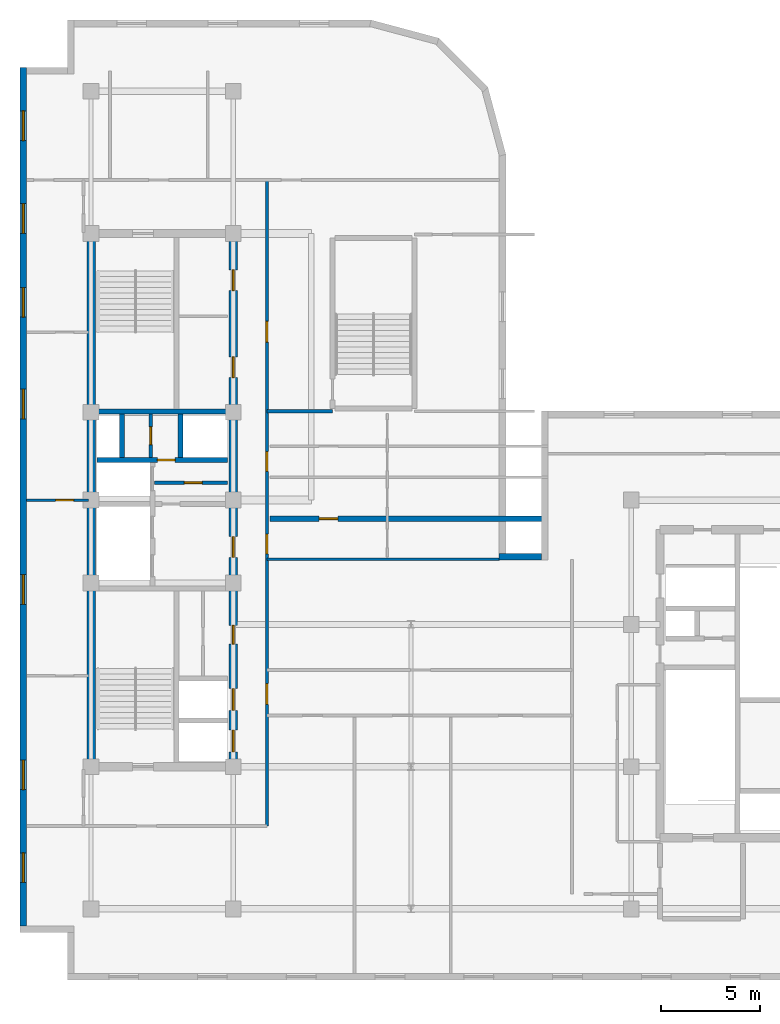
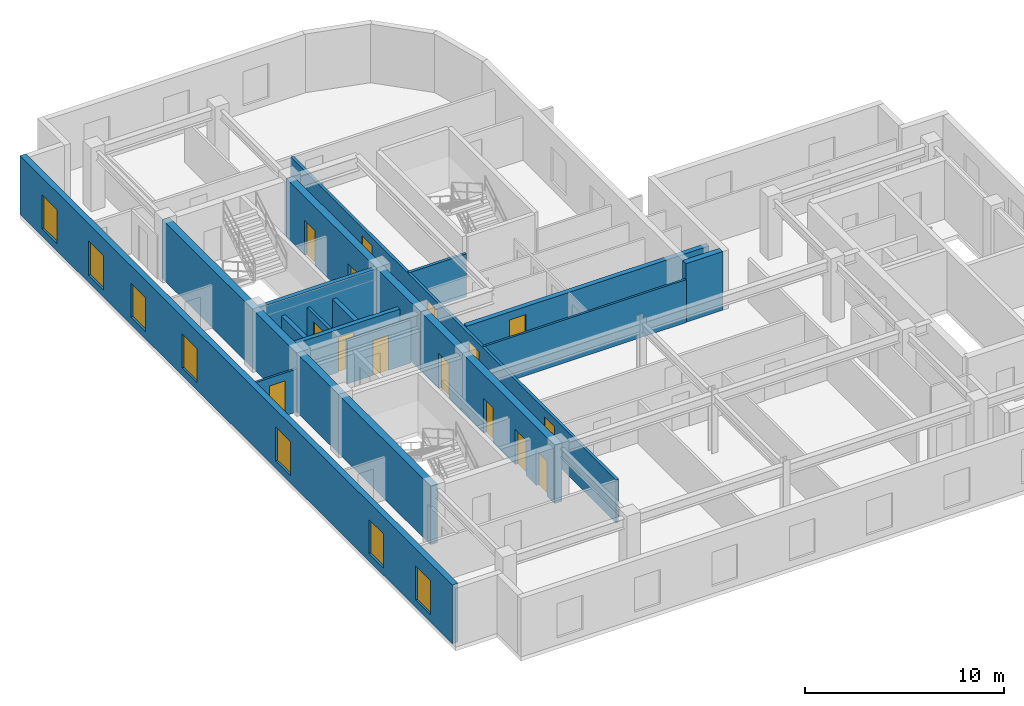
# One storey, part 4 of 10: 16 walls, 15 doors, 7 windows, 22 openings.
"""IFC4 building model written with IfcOpenShell, lengths in metres."""

import ifcopenshell
import ifcopenshell.guid

model = None  # the IFC model being written
_history = None  # IfcOwnerHistory: only IFC2X3 demands one
_inside = {}  # id of a spatial element -> (the spatial element, [elements in it])
_under = {}  # id of a project, library or spatial element -> (it, [spatial elements below it])
_declared = {}  # id of a project -> (the project, [libraries it declares])
_typed = {}  # id of a type object -> (the type object, [elements of that type])
_made_of = {}  # id of a material, layer set ... -> (it, [elements and type objects made of it])


def new_model(schema):
    """Start an empty IFC model of exactly this schema.

    Asked for "IFC4X3", IfcOpenShell would pick the latest addendum, in which some entities
    have other attributes; the version numbers below select the first issue.
    IFC2X3 requires an IfcOwnerHistory on every rooted entity: one is made here for all.
    """
    global model, _history
    if schema == "IFC4X3":
        model = ifcopenshell.file(schema_version=(4, 3, 0, 0))
    else:
        model = ifcopenshell.file(schema=schema)
    _inside.clear()
    _under.clear()
    _declared.clear()
    _typed.clear()
    _made_of.clear()
    _history = None
    if model.schema == "IFC2X3":
        org = make("IfcOrganization", Name="unknown")
        user = make(
            "IfcPersonAndOrganization",
            ThePerson=make("IfcPerson", FamilyName="unknown"),
            TheOrganization=org,
        )
        app = make(
            "IfcApplication",
            ApplicationDeveloper=org,
            Version="unknown",
            ApplicationFullName="unknown",
            ApplicationIdentifier="unknown",
        )
        _history = make(
            "IfcOwnerHistory",
            OwningUser=user,
            OwningApplication=app,
            ChangeAction="ADDED",
            CreationDate=0,
        )
    return model


def make(cls, **values):
    """One entity of the class cls with the attributes given. An attribute that is None is left unset."""
    return model.create_entity(
        cls, **{name: value for name, value in values.items() if value is not None}
    )


def entity(cls, *values):
    """Any entity or typed value of the class cls, its attributes in the order of the schema. None: left unset."""
    e = model.create_entity(cls)
    for i, value in enumerate(values):
        if value is not None:
            e[i] = value
    return e


def rooted(cls, **values):
    """An entity with a GlobalId (a new one), such as an element, a storey or a relation."""
    return make(cls, GlobalId=ifcopenshell.guid.new(), OwnerHistory=_history, **values)


def si_unit(unit_type, name, prefix=None):
    """IfcSIUnit, for example si_unit("LENGTHUNIT", "METRE", prefix="MILLI")."""
    return make("IfcSIUnit", UnitType=unit_type, Prefix=prefix, Name=name)


def converted_unit(unit_type, name, factor, base, dimensions=None, offset=None):
    """IfcConversionBasedUnit, such as the inch: factor (a typed value) times the base unit."""
    return make(
        "IfcConversionBasedUnit"
        if offset is None
        else "IfcConversionBasedUnitWithOffset",
        ConversionOffset=offset,
        Dimensions=None
        if dimensions is None
        else entity("IfcDimensionalExponents", *dimensions),
        UnitType=unit_type,
        Name=name,
        ConversionFactor=make(
            "IfcMeasureWithUnit", ValueComponent=factor, UnitComponent=base
        ),
    )


def assignment(units):
    """IfcUnitAssignment: the units of a project."""
    return None if units is None else make("IfcUnitAssignment", Units=units)


def point(xyz):
    """IfcCartesianPoint."""
    return None if xyz is None else make("IfcCartesianPoint", Coordinates=xyz)


def direction(xyz):
    """IfcDirection."""
    return None if xyz is None else make("IfcDirection", DirectionRatios=xyz)


def frame(location, z_axis=None, x_axis=None):
    """IfcAxis2Placement3D, a coordinate frame: its origin and axes. An axis left out is left unset."""
    return make(
        "IfcAxis2Placement3D",
        Location=point(location),
        Axis=direction(z_axis),
        RefDirection=direction(x_axis),
    )


def frame_2d(location, x_axis=None):
    """IfcAxis2Placement2D, a coordinate frame in the plane: its origin and x axis."""
    return make(
        "IfcAxis2Placement2D", Location=point(location), RefDirection=direction(x_axis)
    )


def origin_with_axes():
    """The frame at (0, 0, 0) with the z axis (0, 0, 1) and the x axis (1, 0, 0) written out."""
    return frame((0.0, 0.0, 0.0), z_axis=(0.0, 0.0, 1.0), x_axis=(1.0, 0.0, 0.0))


def origin_2d_with_axis():
    """The frame at (0, 0) in the plane with the x axis (1, 0) written out."""
    return frame_2d((0.0, 0.0), x_axis=(1.0, 0.0))


def place(relative_to, where):
    """IfcLocalPlacement: puts the frame where relative to a parent placement (None: the world)."""
    return make(
        "IfcLocalPlacement", PlacementRelTo=relative_to, RelativePlacement=where
    )


def context(
    kind, dimensions, precision=None, world=None, true_north=None, identifier=None
):
    """IfcGeometricRepresentationContext, for example the 3D "Model" context."""
    return make(
        "IfcGeometricRepresentationContext",
        ContextIdentifier=identifier,
        ContextType=kind,
        CoordinateSpaceDimension=dimensions,
        Precision=precision,
        WorldCoordinateSystem=world,
        TrueNorth=true_north,
    )


def subcontext(parent, identifier, kind, view, scale=None):
    """IfcGeometricRepresentationSubContext, for example "Body" below "Model"."""
    return make(
        "IfcGeometricRepresentationSubContext",
        ContextIdentifier=identifier,
        ContextType=kind,
        ParentContext=parent,
        TargetScale=scale,
        TargetView=view,
    )


def project(units=None, contexts=None):
    """IfcProject with its units and contexts."""
    return rooted(
        "IfcProject",
        Name="project",
        RepresentationContexts=contexts,
        UnitsInContext=assignment(units),
    )


def spatial(cls, under=None, at=None, **own):
    """A site, building, storey or space (cls), placed at a placement, below another one or the project."""
    s = rooted(cls, ObjectPlacement=at, **own)
    if under is not None:
        _under.setdefault(under.id(), (under, []))[1].append(s)
    return s


def polyline(points):
    """IfcPolyline through the points."""
    return make("IfcPolyline", Points=[point(p) for p in points])


def profile(cls, at=None, kind="AREA", **sizes):
    """A parametric profile (cls). Its sizes go by their IFC names, for example OverallWidth=200.0."""
    return make(cls, ProfileType=kind, Position=at, **sizes)


def rectangle(**sizes):
    """IfcRectangleProfileDef."""
    return profile("IfcRectangleProfileDef", **sizes)


def outline(outer, holes=None, kind="AREA"):
    """IfcArbitraryClosedProfileDef: a profile drawn as a closed curve; with holes, ...WithVoids."""
    if holes is None:
        return make("IfcArbitraryClosedProfileDef", ProfileType=kind, OuterCurve=outer)
    return make(
        "IfcArbitraryProfileDefWithVoids",
        ProfileType=kind,
        OuterCurve=outer,
        InnerCurves=holes,
    )


def extrude(swept, where, along, depth):
    """IfcExtrudedAreaSolid: the profile swept, set in the frame where, extruded along a direction by depth."""
    return make(
        "IfcExtrudedAreaSolid",
        SweptArea=swept,
        Position=where,
        ExtrudedDirection=direction(along),
        Depth=depth,
    )


def shape(context_of_items, identifier, shape_type, items):
    """IfcShapeRepresentation: the items that make up one representation, for example the "Body"."""
    return make(
        "IfcShapeRepresentation",
        ContextOfItems=context_of_items,
        RepresentationIdentifier=identifier,
        RepresentationType=shape_type,
        Items=items,
    )


def material(Name=None, Category=None):
    """IfcMaterial."""
    return make("IfcMaterial", Name=Name, Category=Category)


def layer(
    of_material, thickness, ventilated=None, Name=None, Category=None, Priority=None
):
    """IfcMaterialLayer: one layer of a wall or slab, of a material (None: an air gap)."""
    return make(
        "IfcMaterialLayer",
        Material=of_material,
        LayerThickness=thickness,
        IsVentilated=ventilated,
        Name=Name,
        Category=Category,
        Priority=Priority,
    )


def layer_set(layers, Name=None):
    """IfcMaterialLayerSet."""
    return make("IfcMaterialLayerSet", MaterialLayers=layers, LayerSetName=Name)


def made_of(thing, what):
    """Note that an element or type object is made of a material, layer set ...; save() writes the relation."""
    if what is not None:
        _made_of.setdefault(what.id(), (what, []))[1].append(thing)
    return thing


def type_object(cls, material=None, **own):
    """A type object (cls), such as IfcWallType, which elements share."""
    return made_of(rooted(cls, **own), material)


def element(
    cls,
    number,
    at=None,
    inside=None,
    cuts=None,
    type_object=None,
    material=None,
    context=None,
    identifier="Body",
    shape_type=None,
    held_by="IfcProductDefinitionShape",
    body=None,
    shapes=None,
    **own,
):
    """One element of the class cls, such as IfcWall. Its Tag is "e" and its number.

    at: its placement. inside: the storey or other place that contains it. cuts: it is an
    opening in that element (IfcRelVoidsElement). A single representation is given by context,
    identifier, shape_type and body (its items); several are given by shapes. held_by: the class
    of the entity that holds the representations. save() writes the other relations.
    """
    e = rooted(cls, Tag="e%d" % number, ObjectPlacement=at, **own)
    if body is not None:
        shapes = [shape(context, identifier, shape_type, body)]
    if shapes is not None:
        e.Representation = make(held_by, Representations=shapes)
    if inside is not None:
        _inside.setdefault(inside.id(), (inside, []))[1].append(e)
    if cuts is not None:
        rooted(
            "IfcRelVoidsElement", RelatingBuildingElement=cuts, RelatedOpeningElement=e
        )
    if type_object is not None:
        _typed.setdefault(type_object.id(), (type_object, []))[1].append(e)
    return made_of(e, material)


def fill(opening, filler):
    """IfcRelFillsElement: the door or window that sits in an opening."""
    return rooted(
        "IfcRelFillsElement",
        RelatingOpeningElement=opening,
        RelatedBuildingElement=filler,
    )


def aggregate(whole, parts):
    """IfcRelAggregates: a whole, such as a stair, and the parts it consists of."""
    return rooted("IfcRelAggregates", RelatingObject=whole, RelatedObjects=parts)


def save(model, path):
    """Write the relations noted so far, then the file.

    IfcRelAggregates (storeys below a building ...), IfcRelContainedInSpatialStructure (elements
    in a storey), IfcRelDefinesByType, IfcRelAssociatesMaterial and IfcRelDeclares: one each for
    every whole, place, type object, material and project.
    """
    for whole, parts in _under.values():
        aggregate(whole, parts)
    for where, things in _inside.values():
        rooted(
            "IfcRelContainedInSpatialStructure",
            RelatedElements=things,
            RelatingStructure=where,
        )
    for kind, things in _typed.values():
        rooted("IfcRelDefinesByType", RelatedObjects=things, RelatingType=kind)
    for what, things in _made_of.values():
        rooted("IfcRelAssociatesMaterial", RelatedObjects=things, RelatingMaterial=what)
    for by, libraries in _declared.values():
        rooted("IfcRelDeclares", RelatingContext=by, RelatedDefinitions=libraries)
    model.write(path)


model = new_model("IFC4")

# Units and contexts
model_context = context("Model", 3, precision=1e-05, world=origin_with_axes(), true_north=direction((0.0, 1.0)))
body_context = subcontext(model_context, "Body", "Model", "MODEL_VIEW")
ifc_project = project(units=[si_unit("LENGTHUNIT", "METRE"), si_unit("AREAUNIT", "SQUARE_METRE"), si_unit("VOLUMEUNIT", "CUBIC_METRE"), converted_unit("PLANEANGLEUNIT", "DEGREE", entity("IfcPlaneAngleMeasure", 0.017453292519943295), si_unit("PLANEANGLEUNIT", "RADIAN"), dimensions=[0, 0, 0, 0, 0, 0, 0]), si_unit("MASSUNIT", "GRAM", prefix="KILO"), si_unit("THERMODYNAMICTEMPERATUREUNIT", "KELVIN")], contexts=[model_context])

# Site, building, storey
site_placement = place(None, origin_with_axes())
site = spatial("IfcSite", under=ifc_project, at=site_placement, CompositionType="ELEMENT")
building_placement = place(site_placement, origin_with_axes())
building = spatial("IfcBuilding", under=site, at=building_placement, Name="Varnlund Millrace Tower", CompositionType="ELEMENT")
storey_placement = place(building_placement, frame((0.0, 0.0, 284.1), z_axis=(0.0, 0.0, 1.0), x_axis=(1.0, 0.0, 0.0)))
storey = spatial("IfcBuildingStorey", under=building, at=storey_placement, Name="L70", CompositionType="ELEMENT", Elevation=284.1)

# Wall
ifc_material_1 = material(Name="Concrete C60/75", Category="concrete")
ifc_layer_1 = layer(ifc_material_1, 0.42, Name="Concrete C60/75")
ifc_layer_set_1 = layer_set([ifc_layer_1], Name="Concrete C60/75")
wall_type_1 = type_object("IfcWallType", Name="Type-CoreWall-Shear-420-C60", PredefinedType="SHEAR", material=ifc_layer_set_1)
wall_1_placement = place(storey_placement, frame((11.4, 10.8, 0.0), z_axis=(0.0, 0.0, 1.0), x_axis=(0.0, 1.0, 0.0)))
element("IfcWall", 1, at=wall_1_placement, inside=storey, type_object=wall_type_1, Name="Type-CoreWall-Shear-420-C60", PredefinedType="SHEAR", context=body_context, shape_type="SweptSolid", body=[
    extrude(outline(polyline([(0.0, -0.21), (27.0, -0.21), (27.0, 0.21), (0.0, 0.21), (0.0, -0.21)])), origin_with_axes(), (0.0, 0.0, 1.0), 3.6),
])

# Wall, openings, doors
wall_2_placement = place(storey_placement, frame((18.6, 10.8, 0.0), z_axis=(0.0, 0.0, 1.0), x_axis=(0.0, 1.0, 0.0)))
wall_2 = element("IfcWall", 2, at=wall_2_placement, inside=storey, type_object=wall_type_1, Name="Type-CoreWall-Shear-420-C60", PredefinedType="SHEAR", context=body_context, shape_type="SweptSolid", body=[
    extrude(outline(polyline([(0.0, -0.21), (13.5, -0.21), (13.5, 0.21), (0.0, 0.21), (0.0, -0.21)])), origin_with_axes(), (0.0, 0.0, 1.0), 3.6),
])
opening_1_placement = place(wall_2_placement, frame((1.3, 0.0, 0.0), z_axis=(0.0, 0.0, 1.0), x_axis=(1.0, 0.0, 0.0)))
opening_1 = element("IfcOpeningElement", 3, at=opening_1_placement, cuts=wall_2, Name="Opening L70:LD-ELV-H1", PredefinedType="OPENING", context=body_context, shape_type="SweptSolid", body=[
    extrude(rectangle(XDim=1.1, YDim=0.44, at=origin_2d_with_axis()), origin_with_axes(), (0.0, 0.0, 1.0), 2.15),
])
opening_2_placement = place(wall_2_placement, frame((3.4, 0.0, 0.0), z_axis=(0.0, 0.0, 1.0), x_axis=(1.0, 0.0, 0.0)))
opening_2 = element("IfcOpeningElement", 4, at=opening_2_placement, cuts=wall_2, Name="Opening L70:LD-ELV-H2", PredefinedType="OPENING", context=body_context, shape_type="SweptSolid", body=[
    extrude(rectangle(XDim=1.1, YDim=0.44, at=origin_2d_with_axis()), origin_with_axes(), (0.0, 0.0, 1.0), 2.15),
])
opening_3_placement = place(wall_2_placement, frame((11.125, 0.0, 0.0), z_axis=(0.0, 0.0, 1.0), x_axis=(1.0, 0.0, 0.0)))
opening_3 = element("IfcOpeningElement", 5, at=opening_3_placement, cuts=wall_2, Name="Opening L70:DR-FFLOB-A", PredefinedType="OPENING", context=body_context, shape_type="SweptSolid", body=[
    extrude(rectangle(XDim=1.05, YDim=0.44, at=origin_2d_with_axis()), origin_with_axes(), (0.0, 0.0, 1.0), 2.15),
])
opening_4_placement = place(wall_2_placement, frame((6.675, 0.0, 0.0), z_axis=(0.0, 0.0, 1.0), x_axis=(1.0, 0.0, 0.0)))
opening_4 = element("IfcOpeningElement", 6, at=opening_4_placement, cuts=wall_2, Name="Opening L70:DR-RECL-S1B2", PredefinedType="OPENING", context=body_context, shape_type="SweptSolid", body=[
    extrude(rectangle(XDim=0.95, YDim=0.44, at=origin_2d_with_axis()), origin_with_axes(), (0.0, 0.0, 1.0), 2.15),
])
ifc_material_2 = material(Name="Smoke-barrier hollow steel fire door", Category="steel")
door_type_1 = type_object("IfcDoorType", Name="Type-FireDoor-Lobby-1050X2150", OperationType="NOTDEFINED", PredefinedType="DOOR", material=ifc_material_2)
door_1_placement = place(wall_2_placement, frame((11.125, 0.0, 0.0), z_axis=(0.0, 0.0, 1.0), x_axis=(1.0, 0.0, 0.0)))
door_1 = element("IfcDoor", 7, at=door_1_placement, inside=storey, type_object=door_type_1, Name="Type-FireDoor-Lobby-1050X2150", OperationType="SINGLE_SWING_LEFT", OverallHeight=2.15, OverallWidth=1.05, PredefinedType="DOOR", context=body_context, shape_type="SweptSolid", body=[
    extrude(rectangle(XDim=1.05, YDim=0.09, at=origin_2d_with_axis()), origin_with_axes(), (0.0, 0.0, 1.0), 2.15),
])
fill(opening_3, door_1)
ifc_material_3 = material(Name="Fire-rated hollow steel core service door", Category="steel")
door_type_2 = type_object("IfcDoorType", Name="Type-FireDoor-Service-950X2150", OperationType="NOTDEFINED", PredefinedType="DOOR", material=ifc_material_3)
door_2_placement = place(wall_2_placement, frame((6.675, 0.0, 0.0), z_axis=(0.0, 0.0, 1.0), x_axis=(1.0, 0.0, 0.0)))
door_2 = element("IfcDoor", 8, at=door_2_placement, inside=storey, type_object=door_type_2, Name="Type-FireDoor-Service-950X2150", OperationType="SINGLE_SWING_RIGHT", OverallHeight=2.15, OverallWidth=0.95, PredefinedType="DOOR", context=body_context, shape_type="SweptSolid", body=[
    extrude(rectangle(XDim=0.95, YDim=0.09, at=origin_2d_with_axis()), origin_with_axes(), (0.0, 0.0, 1.0), 2.15),
])
fill(opening_4, door_2)
ifc_material_4 = material(Name="Stainless and architectural bronze sliding landing door")
door_type_3 = type_object("IfcDoorType", Name="Type-LiftLandingDoor-1100X2150", OperationType="NOTDEFINED", PredefinedType="DOOR", material=ifc_material_4)
door_3_placement = place(wall_2_placement, frame((1.3, 0.0, 0.0), z_axis=(0.0, 0.0, 1.0), x_axis=(1.0, 0.0, 0.0)))
door_3 = element("IfcDoor", 9, at=door_3_placement, inside=storey, type_object=door_type_3, Name="Type-LiftLandingDoor-1100X2150", OperationType="SLIDING_TO_LEFT", OverallHeight=2.15, OverallWidth=1.1, PredefinedType="DOOR", context=body_context, shape_type="SweptSolid", body=[
    extrude(rectangle(XDim=1.1, YDim=0.09, at=origin_2d_with_axis()), origin_with_axes(), (0.0, 0.0, 1.0), 2.15),
])
fill(opening_1, door_3)
door_4_placement = place(wall_2_placement, frame((3.4, 0.0, 0.0), z_axis=(0.0, 0.0, 1.0), x_axis=(1.0, 0.0, 0.0)))
door_4 = element("IfcDoor", 10, at=door_4_placement, inside=storey, type_object=door_type_3, Name="Type-LiftLandingDoor-1100X2150", OperationType="SLIDING_TO_RIGHT", OverallHeight=2.15, OverallWidth=1.1, PredefinedType="DOOR", context=body_context, shape_type="SweptSolid", body=[
    extrude(rectangle(XDim=1.1, YDim=0.09, at=origin_2d_with_axis()), origin_with_axes(), (0.0, 0.0, 1.0), 2.15),
])
fill(opening_2, door_4)

wall_3_placement = place(storey_placement, frame((18.6, 24.3, 0.0), z_axis=(0.0, 0.0, 1.0), x_axis=(0.0, 1.0, 0.0)))
wall_3 = element("IfcWall", 11, at=wall_3_placement, inside=storey, type_object=wall_type_1, Name="Type-CoreWall-Shear-420-C60", PredefinedType="SHEAR", context=body_context, shape_type="SweptSolid", body=[
    extrude(outline(polyline([(0.0, -0.21), (13.5, -0.21), (13.5, 0.21), (0.0, 0.21), (0.0, -0.21)])), origin_with_axes(), (0.0, 0.0, 1.0), 3.6),
])
opening_5_placement = place(wall_3_placement, frame((6.725, 0.0, 0.0), z_axis=(0.0, 0.0, 1.0), x_axis=(1.0, 0.0, 0.0)))
opening_5 = element("IfcOpeningElement", 12, at=opening_5_placement, cuts=wall_3, Name="Opening L70:DR-RECL-M1", PredefinedType="OPENING", context=body_context, shape_type="SweptSolid", body=[
    extrude(rectangle(XDim=1.05, YDim=0.44, at=origin_2d_with_axis()), origin_with_axes(), (0.0, 0.0, 1.0), 2.15),
])
opening_6_placement = place(wall_3_placement, frame((11.125, 0.0, 0.0), z_axis=(0.0, 0.0, 1.0), x_axis=(1.0, 0.0, 0.0)))
opening_6 = element("IfcOpeningElement", 13, at=opening_6_placement, cuts=wall_3, Name="Opening L70:DR-RECL-M2", PredefinedType="OPENING", context=body_context, shape_type="SweptSolid", body=[
    extrude(rectangle(XDim=1.05, YDim=0.44, at=origin_2d_with_axis()), origin_with_axes(), (0.0, 0.0, 1.0), 2.15),
])
door_5_placement = place(wall_3_placement, frame((6.725, 0.0, 0.0), z_axis=(0.0, 0.0, 1.0), x_axis=(1.0, 0.0, 0.0)))
door_5 = element("IfcDoor", 14, at=door_5_placement, inside=storey, type_object=door_type_1, Name="Type-FireDoor-Lobby-1050X2150", OperationType="SINGLE_SWING_LEFT", OverallHeight=2.15, OverallWidth=1.05, PredefinedType="DOOR", context=body_context, shape_type="SweptSolid", body=[
    extrude(rectangle(XDim=1.05, YDim=0.09, at=origin_2d_with_axis()), origin_with_axes(), (0.0, 0.0, 1.0), 2.15),
])
fill(opening_5, door_5)
door_6_placement = place(wall_3_placement, frame((11.125, 0.0, 0.0), z_axis=(0.0, 0.0, 1.0), x_axis=(1.0, 0.0, 0.0)))
door_6 = element("IfcDoor", 15, at=door_6_placement, inside=storey, type_object=door_type_1, Name="Type-FireDoor-Lobby-1050X2150", OperationType="SINGLE_SWING_RIGHT", OverallHeight=2.15, OverallWidth=1.05, PredefinedType="DOOR", context=body_context, shape_type="SweptSolid", body=[
    extrude(rectangle(XDim=1.05, YDim=0.09, at=origin_2d_with_axis()), origin_with_axes(), (0.0, 0.0, 1.0), 2.15),
])
fill(opening_6, door_6)

# Wall, openings, windows
ifc_material_5 = material(Name="Precast concrete C50/60", Category="concrete")
ifc_layer_2 = layer(ifc_material_5, 0.34, Name="Precast concrete C50/60")
ifc_layer_set_2 = layer_set([ifc_layer_2], Name="Precast concrete C50/60")
wall_type_2 = type_object("IfcWallType", Name="Type-ExtWall-Precast-Upper-340", PredefinedType="SOLIDWALL", material=ifc_layer_set_2)
wall_4_placement = place(storey_placement, frame((7.97, 2.74, 0.0), z_axis=(0.0, 0.0, 1.0), x_axis=(0.0, 1.0, 0.0)))
wall_4 = element("IfcWall", 16, at=wall_4_placement, inside=storey, type_object=wall_type_2, Name="Type-ExtWall-Precast-Upper-340", PredefinedType="SOLIDWALL", context=body_context, shape_type="SweptSolid", body=[
    extrude(outline(polyline([(0.0, -0.17), (43.46, -0.17), (43.46, 0.17), (0.0, 0.17), (0.0, -0.17)])), origin_with_axes(), (0.0, 0.0, 1.0), 3.6),
])
opening_7_placement = place(wall_4_placement, frame((2.948, 0.0, 0.45), z_axis=(0.0, 0.0, 1.0), x_axis=(1.0, 0.0, 0.0)))
opening_7 = element("IfcOpeningElement", 17, at=opening_7_placement, cuts=wall_4, Name="Opening L70:WN-16", PredefinedType="OPENING", context=body_context, shape_type="SweptSolid", body=[
    extrude(rectangle(XDim=1.5, YDim=0.36, at=origin_2d_with_axis()), origin_with_axes(), (0.0, 0.0, 1.0), 2.1),
])
opening_8_placement = place(wall_4_placement, frame((7.643, 0.0, 0.45), z_axis=(0.0, 0.0, 1.0), x_axis=(1.0, 0.0, 0.0)))
opening_8 = element("IfcOpeningElement", 18, at=opening_8_placement, cuts=wall_4, Name="Opening L70:WN-17", PredefinedType="OPENING", context=body_context, shape_type="SweptSolid", body=[
    extrude(rectangle(XDim=1.5, YDim=0.36, at=origin_2d_with_axis()), origin_with_axes(), (0.0, 0.0, 1.0), 2.1),
])
opening_9_placement = place(wall_4_placement, frame((17.034, 0.0, 0.45), z_axis=(0.0, 0.0, 1.0), x_axis=(1.0, 0.0, 0.0)))
opening_9 = element("IfcOpeningElement", 19, at=opening_9_placement, cuts=wall_4, Name="Opening L70:WN-18", PredefinedType="OPENING", context=body_context, shape_type="SweptSolid", body=[
    extrude(rectangle(XDim=1.5, YDim=0.36, at=origin_2d_with_axis()), origin_with_axes(), (0.0, 0.0, 1.0), 2.1),
])
opening_10_placement = place(wall_4_placement, frame((26.426, 0.0, 0.45), z_axis=(0.0, 0.0, 1.0), x_axis=(1.0, 0.0, 0.0)))
opening_10 = element("IfcOpeningElement", 20, at=opening_10_placement, cuts=wall_4, Name="Opening L70:WN-19", PredefinedType="OPENING", context=body_context, shape_type="SweptSolid", body=[
    extrude(rectangle(XDim=1.5, YDim=0.36, at=origin_2d_with_axis()), origin_with_axes(), (0.0, 0.0, 1.0), 2.1),
])
opening_11_placement = place(wall_4_placement, frame((31.571, 0.0, 0.45), z_axis=(0.0, 0.0, 1.0), x_axis=(1.0, 0.0, 0.0)))
opening_11 = element("IfcOpeningElement", 21, at=opening_11_placement, cuts=wall_4, Name="Opening L70:WN-20", PredefinedType="OPENING", context=body_context, shape_type="SweptSolid", body=[
    extrude(rectangle(XDim=1.5, YDim=0.36, at=origin_2d_with_axis()), origin_with_axes(), (0.0, 0.0, 1.0), 2.1),
])
opening_12_placement = place(wall_4_placement, frame((35.817, 0.0, 0.45), z_axis=(0.0, 0.0, 1.0), x_axis=(1.0, 0.0, 0.0)))
opening_12 = element("IfcOpeningElement", 22, at=opening_12_placement, cuts=wall_4, Name="Opening L70:WN-21", PredefinedType="OPENING", context=body_context, shape_type="SweptSolid", body=[
    extrude(rectangle(XDim=1.5, YDim=0.36, at=origin_2d_with_axis()), origin_with_axes(), (0.0, 0.0, 1.0), 2.1),
])
opening_13_placement = place(wall_4_placement, frame((40.512, 0.0, 0.45), z_axis=(0.0, 0.0, 1.0), x_axis=(1.0, 0.0, 0.0)))
opening_13 = element("IfcOpeningElement", 23, at=opening_13_placement, cuts=wall_4, Name="Opening L70:WN-22", PredefinedType="OPENING", context=body_context, shape_type="SweptSolid", body=[
    extrude(rectangle(XDim=1.5, YDim=0.36, at=origin_2d_with_axis()), origin_with_axes(), (0.0, 0.0, 1.0), 2.1),
])
ifc_material_6 = material(Name="Argon low-e triple glazing in thermally broken bronze frame", Category="glass")
window_type = type_object("IfcWindowType", Name="Type-Window-Punched-1500X2100", PartitioningType="SINGLE_PANEL", PredefinedType="WINDOW", material=ifc_material_6)
window_1_placement = place(wall_4_placement, frame((2.948, 0.0, 0.45), z_axis=(0.0, 0.0, 1.0), x_axis=(1.0, 0.0, 0.0)))
window_1 = element("IfcWindow", 24, at=window_1_placement, inside=storey, type_object=window_type, Name="Type-Window-Punched-1500X2100", OverallHeight=2.1, OverallWidth=1.5, PredefinedType="WINDOW", context=body_context, shape_type="SweptSolid", body=[
    extrude(rectangle(XDim=1.5, YDim=0.09, at=origin_2d_with_axis()), origin_with_axes(), (0.0, 0.0, 1.0), 2.1),
])
fill(opening_7, window_1)
window_2_placement = place(wall_4_placement, frame((7.643, 0.0, 0.45), z_axis=(0.0, 0.0, 1.0), x_axis=(1.0, 0.0, 0.0)))
window_2 = element("IfcWindow", 25, at=window_2_placement, inside=storey, type_object=window_type, Name="Type-Window-Punched-1500X2100", OverallHeight=2.1, OverallWidth=1.5, PredefinedType="WINDOW", context=body_context, shape_type="SweptSolid", body=[
    extrude(rectangle(XDim=1.5, YDim=0.09, at=origin_2d_with_axis()), origin_with_axes(), (0.0, 0.0, 1.0), 2.1),
])
fill(opening_8, window_2)
window_3_placement = place(wall_4_placement, frame((17.034, 0.0, 0.45), z_axis=(0.0, 0.0, 1.0), x_axis=(1.0, 0.0, 0.0)))
window_3 = element("IfcWindow", 26, at=window_3_placement, inside=storey, type_object=window_type, Name="Type-Window-Punched-1500X2100", OverallHeight=2.1, OverallWidth=1.5, PredefinedType="WINDOW", context=body_context, shape_type="SweptSolid", body=[
    extrude(rectangle(XDim=1.5, YDim=0.09, at=origin_2d_with_axis()), origin_with_axes(), (0.0, 0.0, 1.0), 2.1),
])
fill(opening_9, window_3)
window_4_placement = place(wall_4_placement, frame((26.426, 0.0, 0.45), z_axis=(0.0, 0.0, 1.0), x_axis=(1.0, 0.0, 0.0)))
window_4 = element("IfcWindow", 27, at=window_4_placement, inside=storey, type_object=window_type, Name="Type-Window-Punched-1500X2100", OverallHeight=2.1, OverallWidth=1.5, PredefinedType="WINDOW", context=body_context, shape_type="SweptSolid", body=[
    extrude(rectangle(XDim=1.5, YDim=0.09, at=origin_2d_with_axis()), origin_with_axes(), (0.0, 0.0, 1.0), 2.1),
])
fill(opening_10, window_4)
window_5_placement = place(wall_4_placement, frame((31.571, 0.0, 0.45), z_axis=(0.0, 0.0, 1.0), x_axis=(1.0, 0.0, 0.0)))
window_5 = element("IfcWindow", 28, at=window_5_placement, inside=storey, type_object=window_type, Name="Type-Window-Punched-1500X2100", OverallHeight=2.1, OverallWidth=1.5, PredefinedType="WINDOW", context=body_context, shape_type="SweptSolid", body=[
    extrude(rectangle(XDim=1.5, YDim=0.09, at=origin_2d_with_axis()), origin_with_axes(), (0.0, 0.0, 1.0), 2.1),
])
fill(opening_11, window_5)
window_6_placement = place(wall_4_placement, frame((35.817, 0.0, 0.45), z_axis=(0.0, 0.0, 1.0), x_axis=(1.0, 0.0, 0.0)))
window_6 = element("IfcWindow", 29, at=window_6_placement, inside=storey, type_object=window_type, Name="Type-Window-Punched-1500X2100", OverallHeight=2.1, OverallWidth=1.5, PredefinedType="WINDOW", context=body_context, shape_type="SweptSolid", body=[
    extrude(rectangle(XDim=1.5, YDim=0.09, at=origin_2d_with_axis()), origin_with_axes(), (0.0, 0.0, 1.0), 2.1),
])
fill(opening_12, window_6)
window_7_placement = place(wall_4_placement, frame((40.512, 0.0, 0.45), z_axis=(0.0, 0.0, 1.0), x_axis=(1.0, 0.0, 0.0)))
window_7 = element("IfcWindow", 30, at=window_7_placement, inside=storey, type_object=window_type, Name="Type-Window-Punched-1500X2100", OverallHeight=2.1, OverallWidth=1.5, PredefinedType="WINDOW", context=body_context, shape_type="SweptSolid", body=[
    extrude(rectangle(XDim=1.5, YDim=0.09, at=origin_2d_with_axis()), origin_with_axes(), (0.0, 0.0, 1.0), 2.1),
])
fill(opening_13, window_7)

# Wall
wall_5_placement = place(storey_placement, frame((32.06, 21.43, 0.0), z_axis=(0.0, 0.0, 1.0), x_axis=(1.0, 0.0, 0.0)))
element("IfcWall", 31, at=wall_5_placement, inside=storey, type_object=wall_type_2, Name="Type-ExtWall-Precast-Upper-340", PredefinedType="SOLIDWALL", context=body_context, shape_type="SweptSolid", body=[
    extrude(outline(polyline([(0.0, -0.17), (2.14, -0.17), (2.14, 0.17), (0.0, 0.17), (0.0, -0.17)])), origin_with_axes(), (0.0, 0.0, 1.0), 3.6),
])

# Wall, opening, door
ifc_material_7 = material(Name="Double-stud STC-60 conference acoustic partition", Category="gypsum")
ifc_layer_3 = layer(ifc_material_7, 0.28, Name="Double-stud STC-60 conference acoustic partition")
ifc_layer_set_3 = layer_set([ifc_layer_3], Name="Double-stud STC-60 conference acoustic partition")
wall_type_3 = type_object("IfcWallType", Name="Type-Partition-Acoustic-280", PredefinedType="PARTITIONING", material=ifc_layer_set_3)
wall_6_placement = place(storey_placement, frame((20.45, 23.355, 0.0), z_axis=(0.0, 0.0, 1.0), x_axis=(1.0, 0.0, 0.0)))
wall_6 = element("IfcWall", 32, at=wall_6_placement, inside=storey, type_object=wall_type_3, Name="Type-Partition-Acoustic-280", PredefinedType="PARTITIONING", context=body_context, shape_type="SweptSolid", body=[
    extrude(outline(polyline([(0.0, -0.14), (14.085, -0.14), (14.085, 0.14), (0.0, 0.14), (0.0, -0.14)])), origin_with_axes(), (0.0, 0.0, 1.0), 2.64),
])
opening_14_placement = place(wall_6_placement, frame((2.975, 0.0, 0.0), z_axis=(0.0, 0.0, 1.0), x_axis=(1.0, 0.0, 0.0)))
opening_14 = element("IfcOpeningElement", 33, at=opening_14_placement, cuts=wall_6, Name="Opening L70:DR-FLR-02", PredefinedType="OPENING", context=body_context, shape_type="SweptSolid", body=[
    extrude(rectangle(XDim=0.95, YDim=0.3, at=origin_2d_with_axis()), origin_with_axes(), (0.0, 0.0, 1.0), 2.15),
])
ifc_material_8 = material(Name="Solid-core acoustic office door")
door_type_4 = type_object("IfcDoorType", Name="Type-IntDoor-Tenant-950X2150", OperationType="NOTDEFINED", PredefinedType="DOOR", material=ifc_material_8)
door_7_placement = place(wall_6_placement, frame((2.975, 0.0, 0.0), z_axis=(0.0, 0.0, 1.0), x_axis=(1.0, 0.0, 0.0)))
door_7 = element("IfcDoor", 34, at=door_7_placement, inside=storey, type_object=door_type_4, Name="Type-IntDoor-Tenant-950X2150", OperationType="SINGLE_SWING_LEFT", OverallHeight=2.15, OverallWidth=0.95, PredefinedType="DOOR", context=body_context, shape_type="SweptSolid", body=[
    extrude(rectangle(XDim=0.95, YDim=0.09, at=origin_2d_with_axis()), origin_with_axes(), (0.0, 0.0, 1.0), 2.15),
])
fill(opening_14, door_7)

ifc_material_9 = material(Name="Fire-rated gypsum board on cold-formed steel framing", Category="steel")
ifc_layer_4 = layer(ifc_material_9, 0.16, Name="Fire-rated gypsum board on cold-formed steel framing")
ifc_layer_set_4 = layer_set([ifc_layer_4], Name="Fire-rated gypsum board on cold-formed steel framing")
wall_type_4 = type_object("IfcWallType", Name="Type-Partition-Corridor-160", PredefinedType="PARTITIONING", material=ifc_layer_set_4)
wall_7_placement = place(storey_placement, frame((14.62, 25.18, 0.0), z_axis=(0.0, 0.0, 1.0), x_axis=(1.0, 0.0, 0.0)))
wall_7 = element("IfcWall", 35, at=wall_7_placement, inside=storey, type_object=wall_type_4, Name="Type-Partition-Corridor-160", PredefinedType="PARTITIONING", context=body_context, shape_type="SweptSolid", body=[
    extrude(outline(polyline([(0.0, -0.08), (3.68, -0.08), (3.68, 0.08), (0.0, 0.08), (0.0, -0.08)])), origin_with_axes(), (0.0, 0.0, 1.0), 2.64),
])
opening_15_placement = place(wall_7_placement, frame((1.95, 0.0, 0.0), z_axis=(0.0, 0.0, 1.0), x_axis=(1.0, 0.0, 0.0)))
opening_15 = element("IfcOpeningElement", 36, at=opening_15_placement, cuts=wall_7, Name="Opening L70:DR-CA-SUB2", PredefinedType="OPENING", context=body_context, shape_type="SweptSolid", body=[
    extrude(rectangle(XDim=0.9, YDim=0.18, at=origin_2d_with_axis()), origin_with_axes(), (0.0, 0.0, 1.0), 2.15),
])
ifc_material_10 = material(Name="Painted steel riser and closet door", Category="steel")
door_type_5 = type_object("IfcDoorType", Name="Type-IntDoor-Closet-900X2150", OperationType="NOTDEFINED", PredefinedType="DOOR", material=ifc_material_10)
door_8_placement = place(wall_7_placement, frame((1.95, 0.0, 0.0), z_axis=(0.0, 0.0, 1.0), x_axis=(1.0, 0.0, 0.0)))
door_8 = element("IfcDoor", 37, at=door_8_placement, inside=storey, type_object=door_type_5, Name="Type-IntDoor-Closet-900X2150", OperationType="SINGLE_SWING_LEFT", OverallHeight=2.15, OverallWidth=0.9, PredefinedType="DOOR", context=body_context, shape_type="SweptSolid", body=[
    extrude(rectangle(XDim=0.9, YDim=0.09, at=origin_2d_with_axis()), origin_with_axes(), (0.0, 0.0, 1.0), 2.15),
])
fill(opening_15, door_8)

wall_8_placement = place(storey_placement, frame((14.42, 26.45, 0.0), z_axis=(0.0, 0.0, 1.0), x_axis=(0.0, 1.0, 0.0)))
wall_8 = element("IfcWall", 38, at=wall_8_placement, inside=storey, type_object=wall_type_4, Name="Type-Partition-Corridor-160", PredefinedType="PARTITIONING", context=body_context, shape_type="SweptSolid", body=[
    extrude(outline(polyline([(0.0, -0.08), (2.2, -0.08), (2.2, 0.08), (0.0, 0.08), (0.0, -0.08)])), origin_with_axes(), (0.0, 0.0, 1.0), 2.64),
])
opening_16_placement = place(wall_8_placement, frame((1.1, 0.0, 0.0), z_axis=(0.0, 0.0, 1.0), x_axis=(1.0, 0.0, 0.0)))
opening_16 = element("IfcOpeningElement", 39, at=opening_16_placement, cuts=wall_8, Name="Opening L70:DR-CA-EL2", PredefinedType="OPENING", context=body_context, shape_type="SweptSolid", body=[
    extrude(rectangle(XDim=0.9, YDim=0.18, at=origin_2d_with_axis()), origin_with_axes(), (0.0, 0.0, 1.0), 2.15),
])
door_9_placement = place(wall_8_placement, frame((1.1, 0.0, 0.0), z_axis=(0.0, 0.0, 1.0), x_axis=(1.0, 0.0, 0.0)))
door_9 = element("IfcDoor", 40, at=door_9_placement, inside=storey, type_object=door_type_5, Name="Type-IntDoor-Closet-900X2150", OperationType="SINGLE_SWING_LEFT", OverallHeight=2.15, OverallWidth=0.9, PredefinedType="DOOR", context=body_context, shape_type="SweptSolid", body=[
    extrude(rectangle(XDim=0.9, YDim=0.09, at=origin_2d_with_axis()), origin_with_axes(), (0.0, 0.0, 1.0), 2.15),
])
fill(opening_16, door_9)

# Wall, openings, doors
wall_9_placement = place(storey_placement, frame((20.3, 7.8, 0.0), z_axis=(0.0, 0.0, 1.0), x_axis=(0.0, 1.0, 0.0)))
wall_9 = element("IfcWall", 41, at=wall_9_placement, inside=storey, type_object=wall_type_4, Name="Type-Partition-Corridor-160", PredefinedType="PARTITIONING", context=body_context, shape_type="SweptSolid", body=[
    extrude(outline(polyline([(0.0, -0.08), (32.7, -0.08), (32.7, 0.08), (0.0, 0.08), (0.0, -0.08)])), origin_with_axes(), (0.0, 0.0, 1.0), 2.64),
])
opening_17_placement = place(wall_9_placement, frame((25.025, 0.0, 0.0), z_axis=(0.0, 0.0, 1.0), x_axis=(1.0, 0.0, 0.0)))
opening_17 = element("IfcOpeningElement", 42, at=opening_17_placement, cuts=wall_9, Name="Opening L70:DR-STA3-COR", PredefinedType="OPENING", context=body_context, shape_type="SweptSolid", body=[
    extrude(rectangle(XDim=1.05, YDim=0.18, at=origin_2d_with_axis()), origin_with_axes(), (0.0, 0.0, 1.0), 2.15),
])
opening_18_placement = place(wall_9_placement, frame((14.273, 0.0, 0.0), z_axis=(0.0, 0.0, 1.0), x_axis=(1.0, 0.0, 0.0)))
opening_18 = element("IfcOpeningElement", 43, at=opening_18_placement, cuts=wall_9, Name="Opening L70:DR-FLR-01", PredefinedType="OPENING", context=body_context, shape_type="SweptSolid", body=[
    extrude(rectangle(XDim=1.0, YDim=0.18, at=origin_2d_with_axis()), origin_with_axes(), (0.0, 0.0, 1.0), 2.15),
])
opening_19_placement = place(wall_9_placement, frame((18.4465, 0.0, 0.0), z_axis=(0.0, 0.0, 1.0), x_axis=(1.0, 0.0, 0.0)))
opening_19 = element("IfcOpeningElement", 44, at=opening_19_placement, cuts=wall_9, Name="Opening L70:DR-FLR-03", PredefinedType="OPENING", context=body_context, shape_type="SweptSolid", body=[
    extrude(rectangle(XDim=1.0, YDim=0.18, at=origin_2d_with_axis()), origin_with_axes(), (0.0, 0.0, 1.0), 2.15),
])
opening_20_placement = place(wall_9_placement, frame((6.675, 0.0, 0.0), z_axis=(0.0, 0.0, 1.0), x_axis=(1.0, 0.0, 0.0)))
opening_20 = element("IfcOpeningElement", 45, at=opening_20_placement, cuts=wall_9, Name="Opening L70:DR-KN-W", PredefinedType="OPENING", context=body_context, shape_type="SweptSolid", body=[
    extrude(rectangle(XDim=1.05, YDim=0.18, at=origin_2d_with_axis()), origin_with_axes(), (0.0, 0.0, 1.0), 2.15),
])
door_10_placement = place(wall_9_placement, frame((25.025, 0.0, 0.0), z_axis=(0.0, 0.0, 1.0), x_axis=(1.0, 0.0, 0.0)))
door_10 = element("IfcDoor", 46, at=door_10_placement, inside=storey, type_object=door_type_1, Name="Type-FireDoor-Lobby-1050X2150", OperationType="SINGLE_SWING_LEFT", OverallHeight=2.15, OverallWidth=1.05, PredefinedType="DOOR", context=body_context, shape_type="SweptSolid", body=[
    extrude(rectangle(XDim=1.05, YDim=0.09, at=origin_2d_with_axis()), origin_with_axes(), (0.0, 0.0, 1.0), 2.15),
])
fill(opening_17, door_10)
door_11_placement = place(wall_9_placement, frame((6.675, 0.0, 0.0), z_axis=(0.0, 0.0, 1.0), x_axis=(1.0, 0.0, 0.0)))
door_11 = element("IfcDoor", 47, at=door_11_placement, inside=storey, type_object=door_type_1, Name="Type-FireDoor-Lobby-1050X2150", OperationType="SINGLE_SWING_LEFT", OverallHeight=2.15, OverallWidth=1.05, PredefinedType="DOOR", context=body_context, shape_type="SweptSolid", body=[
    extrude(rectangle(XDim=1.05, YDim=0.09, at=origin_2d_with_axis()), origin_with_axes(), (0.0, 0.0, 1.0), 2.15),
])
fill(opening_20, door_11)
ifc_material_11 = material(Name="Solid-core white oak and bronze frame door")
door_type_6 = type_object("IfcDoorType", Name="Type-IntDoor-Office-1000X2150", OperationType="NOTDEFINED", PredefinedType="DOOR", material=ifc_material_11)
door_12_placement = place(wall_9_placement, frame((14.273, 0.0, 0.0), z_axis=(0.0, 0.0, 1.0), x_axis=(1.0, 0.0, 0.0)))
door_12 = element("IfcDoor", 48, at=door_12_placement, inside=storey, type_object=door_type_6, Name="Type-IntDoor-Office-1000X2150", OperationType="SINGLE_SWING_LEFT", OverallHeight=2.15, OverallWidth=1.0, PredefinedType="DOOR", context=body_context, shape_type="SweptSolid", body=[
    extrude(rectangle(XDim=1.0, YDim=0.09, at=origin_2d_with_axis()), origin_with_axes(), (0.0, 0.0, 1.0), 2.15),
])
fill(opening_18, door_12)
door_13_placement = place(wall_9_placement, frame((18.4465, 0.0, 0.0), z_axis=(0.0, 0.0, 1.0), x_axis=(1.0, 0.0, 0.0)))
door_13 = element("IfcDoor", 49, at=door_13_placement, inside=storey, type_object=door_type_6, Name="Type-IntDoor-Office-1000X2150", OperationType="SINGLE_SWING_LEFT", OverallHeight=2.15, OverallWidth=1.0, PredefinedType="DOOR", context=body_context, shape_type="SweptSolid", body=[
    extrude(rectangle(XDim=1.0, YDim=0.09, at=origin_2d_with_axis()), origin_with_axes(), (0.0, 0.0, 1.0), 2.15),
])
fill(opening_19, door_13)

# Wall
wall_10_placement = place(storey_placement, frame((20.3, 28.8, 0.0), z_axis=(0.0, 0.0, 1.0), x_axis=(1.0, 0.0, 0.0)))
element("IfcWall", 50, at=wall_10_placement, inside=storey, type_object=wall_type_4, Name="Type-Partition-Corridor-160", PredefinedType="PARTITIONING", context=body_context, shape_type="SweptSolid", body=[
    extrude(outline(polyline([(0.0, -0.08), (3.32, -0.08), (3.32, 0.08), (0.0, 0.08), (0.0, -0.08)])), origin_with_axes(), (0.0, 0.0, 1.0), 2.64),
])

# Wall, opening, door
ifc_material_12 = material(Name="Gypsum board tenant partition", Category="gypsum")
ifc_layer_5 = layer(ifc_material_12, 0.125, Name="Gypsum board tenant partition")
ifc_layer_set_5 = layer_set([ifc_layer_5], Name="Gypsum board tenant partition")
wall_type_5 = type_object("IfcWallType", Name="Type-Partition-Tenant-125", PredefinedType="PARTITIONING", material=ifc_layer_set_5)
wall_11_placement = place(storey_placement, frame((8.135, 24.3, 0.0), z_axis=(0.0, 0.0, 1.0), x_axis=(1.0, 0.0, 0.0)))
wall_11 = element("IfcWall", 51, at=wall_11_placement, inside=storey, type_object=wall_type_5, Name="Type-Partition-Tenant-125", PredefinedType="PARTITIONING", context=body_context, shape_type="SweptSolid", body=[
    extrude(outline(polyline([(0.0, -0.0625), (3.135, -0.0625), (3.135, 0.0625), (0.0, 0.0625), (0.0, -0.0625)])), origin_with_axes(), (0.0, 0.0, 1.0), 2.64),
])
opening_21_placement = place(wall_11_placement, frame((1.925, 0.0, 0.0), z_axis=(0.0, 0.0, 1.0), x_axis=(1.0, 0.0, 0.0)))
opening_21 = element("IfcOpeningElement", 52, at=opening_21_placement, cuts=wall_11, Name="Opening L70:DR-WUI-2", PredefinedType="OPENING", context=body_context, shape_type="SweptSolid", body=[
    extrude(rectangle(XDim=0.9, YDim=0.145, at=origin_2d_with_axis()), origin_with_axes(), (0.0, 0.0, 1.0), 2.15),
])
door_14_placement = place(wall_11_placement, frame((1.925, 0.0, 0.0), z_axis=(0.0, 0.0, 1.0), x_axis=(1.0, 0.0, 0.0)))
door_14 = element("IfcDoor", 53, at=door_14_placement, inside=storey, type_object=door_type_5, Name="Type-IntDoor-Closet-900X2150", OperationType="SINGLE_SWING_LEFT", OverallHeight=2.15, OverallWidth=0.9, PredefinedType="DOOR", context=body_context, shape_type="SweptSolid", body=[
    extrude(rectangle(XDim=0.9, YDim=0.075, at=origin_2d_with_axis()), origin_with_axes(), (0.0, 0.0, 1.0), 2.15),
])
fill(opening_21, door_14)

# Wall
wall_12_placement = place(storey_placement, frame((20.3, 21.3, 0.0), z_axis=(0.0, 0.0, 1.0), x_axis=(1.0, 0.0, 0.0)))
element("IfcWall", 54, at=wall_12_placement, inside=storey, type_object=wall_type_5, Name="Type-Partition-Tenant-125", PredefinedType="PARTITIONING", context=body_context, shape_type="SweptSolid", body=[
    extrude(outline(polyline([(0.0, -0.0625), (11.765, -0.0625), (11.765, 0.0625), (0.0, 0.0625), (0.0, -0.0625)])), origin_with_axes(), (0.0, 0.0, 1.0), 2.64),
])

# Wall, opening, door
ifc_layer_6 = layer(ifc_material_1, 0.25, Name="Concrete C60/75")
ifc_layer_set_6 = layer_set([ifc_layer_6], Name="Concrete C60/75")
wall_type_6 = type_object("IfcWallType", Name="Type-ShaftWall-Fire-250", PredefinedType="SOLIDWALL", material=ifc_layer_set_6)
wall_13_placement = place(storey_placement, frame((11.7, 26.325, 0.0), z_axis=(0.0, 0.0, 1.0), x_axis=(1.0, 0.0, 0.0)))
wall_13 = element("IfcWall", 55, at=wall_13_placement, inside=storey, type_object=wall_type_6, Name="Type-ShaftWall-Fire-250", PredefinedType="SOLIDWALL", context=body_context, shape_type="SweptSolid", body=[
    extrude(outline(polyline([(0.0, -0.125), (6.6, -0.125), (6.6, 0.125), (0.0, 0.125), (0.0, -0.125)])), origin_with_axes(), (0.0, 0.0, 1.0), 2.64),
])
opening_22_placement = place(wall_13_placement, frame((3.5, 0.0, 0.0), z_axis=(0.0, 0.0, 1.0), x_axis=(1.0, 0.0, 0.0)))
opening_22 = element("IfcOpeningElement", 56, at=opening_22_placement, cuts=wall_13, Name="Opening L70:DR-CA-EL1", PredefinedType="OPENING", context=body_context, shape_type="SweptSolid", body=[
    extrude(rectangle(XDim=0.9, YDim=0.27, at=origin_2d_with_axis()), origin_with_axes(), (0.0, 0.0, 1.0), 2.15),
])
ifc_material_13 = material(Name="Fire-rated hollow steel service closet door", Category="steel")
door_type_7 = type_object("IfcDoorType", Name="Type-FireDoor-Closet-900X2150", OperationType="NOTDEFINED", PredefinedType="DOOR", material=ifc_material_13)
door_15_placement = place(wall_13_placement, frame((3.5, 0.0, 0.0), z_axis=(0.0, 0.0, 1.0), x_axis=(1.0, 0.0, 0.0)))
door_15 = element("IfcDoor", 57, at=door_15_placement, inside=storey, type_object=door_type_7, Name="Type-FireDoor-Closet-900X2150", OperationType="SINGLE_SWING_LEFT", OverallHeight=2.15, OverallWidth=0.9, PredefinedType="DOOR", context=body_context, shape_type="SweptSolid", body=[
    extrude(rectangle(XDim=0.9, YDim=0.09, at=origin_2d_with_axis()), origin_with_axes(), (0.0, 0.0, 1.0), 2.15),
])
fill(opening_22, door_15)

# Walls
for number, where, z_axis, x_axis, name in (
    (58, (12.96, 26.45, 0.0), (0.0, 0.0, 1.0), (0.0, 1.0, 0.0), "Type-ShaftWall-Fire-250"),
    (59, (15.925, 26.45, 0.0), (0.0, 0.0, 1.0), (0.0, 1.0, 0.0), "Type-ShaftWall-Fire-250"),
):
    element("IfcWall", number, at=place(storey_placement, frame(where, z_axis=z_axis, x_axis=x_axis)), inside=storey, type_object=wall_type_6, Name=name, PredefinedType="SOLIDWALL", context=body_context, shape_type="SweptSolid", body=[
        extrude(outline(polyline([(0.0, -0.125), (2.2, -0.125), (2.2, 0.125), (0.0, 0.125), (0.0, -0.125)])), origin_with_axes(), (0.0, 0.0, 1.0), 2.64),
    ])
wall_type_7 = type_object("IfcWallType", Name="Type-StairWall-Shear-250", PredefinedType="SHEAR", material=ifc_layer_set_6)
wall_14_placement = place(storey_placement, frame((11.61, 28.775, 0.0), z_axis=(0.0, 0.0, 1.0), x_axis=(1.0, 0.0, 0.0)))
element("IfcWall", 60, at=wall_14_placement, inside=storey, type_object=wall_type_7, Name="Type-StairWall-Shear-250", PredefinedType="SHEAR", context=body_context, shape_type="SweptSolid", body=[
    extrude(outline(polyline([(0.0, -0.125), (6.78, -0.125), (6.78, 0.125), (0.0, 0.125), (0.0, -0.125)])), origin_with_axes(), (0.0, 0.0, 1.0), 3.6),
])

save(model, "model.ifc")
